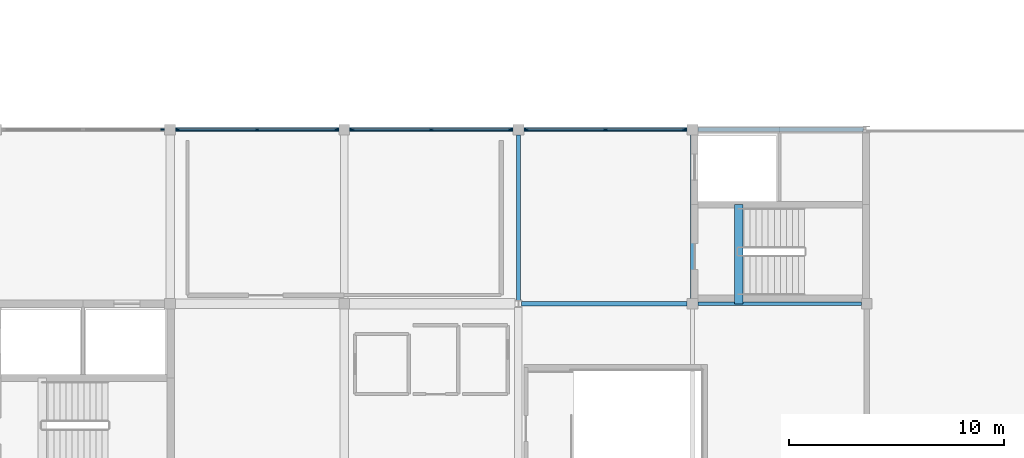
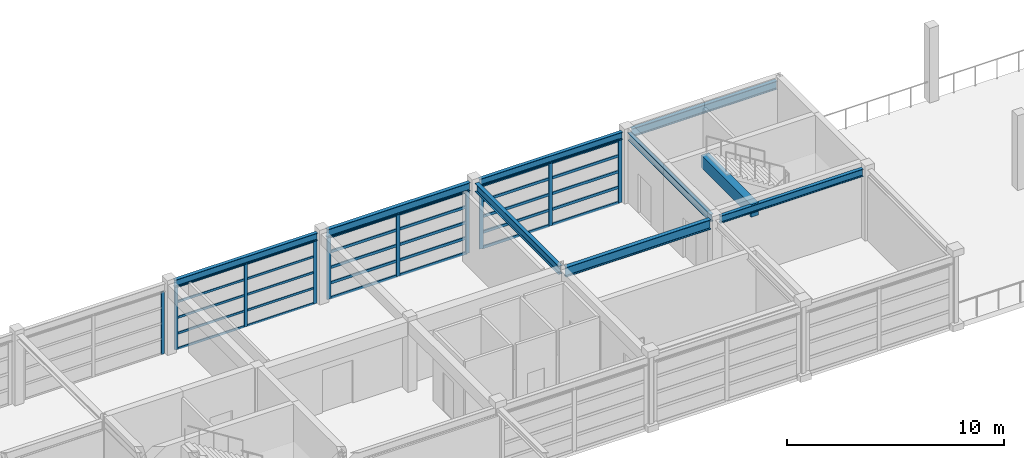
# One storey, part 31 of 54: 40 members, 9 beams, 4 elements without a shape of their own.
"""IFC4 building model written with IfcOpenShell, lengths in metres."""

from ifc_helpers import new_model, si_unit, direction, frame, origin, origin_2d, place, context, subcontext, project, spatial, rectangle, i_section, extrude, material, material_profile, profile_set, type_object, element, aggregate, save


model = new_model("IFC4")

# Units and contexts
model_context = context("Model", 3, precision=1e-05, world=origin(), true_north=direction((0.0, 1.0)))
body_context = subcontext(model_context, "Body", "Model", "MODEL_VIEW")
ifc_project = project(units=[si_unit("LENGTHUNIT", "METRE"), si_unit("AREAUNIT", "SQUARE_METRE"), si_unit("VOLUMEUNIT", "CUBIC_METRE"), si_unit("PLANEANGLEUNIT", "RADIAN"), si_unit("MASSUNIT", "GRAM", prefix="KILO")], contexts=[model_context])

# Site, building, storey
site_placement = place(None, origin())
site = spatial("IfcSite", under=ifc_project, at=site_placement, CompositionType="ELEMENT")
building_placement = place(site_placement, origin())
building = spatial("IfcBuilding", under=site, at=building_placement, Name="Parian Resonance Hall", CompositionType="ELEMENT")
storey_placement = place(building_placement, frame((0.0, 0.0, 15.0)))
storey = spatial("IfcBuildingStorey", under=building, at=storey_placement, Name="L03", CompositionType="ELEMENT", Elevation=15.0)

# Beams
ifc_material_1 = material(Name="Concrete C40/50", Category="concrete")
ifc_material_profile_1 = material_profile(ifc_material_1, rectangle(XDim=0.39990234375, YDim=0.699951171875, at=origin_2d()), Name="RC-BM-400x700")
ifc_profile_set_1 = profile_set([ifc_material_profile_1], Name="Concrete C40/50")
beam_type_1 = type_object("IfcBeamType", Name="BM-RC400x700", PredefinedType="BEAM", material=ifc_profile_set_1)
beam_1_placement = place(storey_placement, frame((91.239990234375, 81.0, 3.610107421875), z_axis=(0.0, 1.0, 0.0), x_axis=(-1.0, 0.0, 0.0)))
element("IfcBeam", 1, at=beam_1_placement, inside=storey, type_object=beam_type_1, Name="Core K5 stair arrival trimmer beam L03", PredefinedType="BEAM", context=body_context, shape_type="SweptSolid", body=[
    extrude(rectangle(XDim=0.39990234375, YDim=0.699951171875, at=origin_2d()), origin(), (0.0, 0.0, 1.0), 4.610107421875),
])
ifc_material_2 = material(Name="Steel S355", Category="steel")
ifc_material_profile_2 = material_profile(ifc_material_2, i_section(OverallWidth=0.180908203125, OverallDepth=0.4169921875, WebThickness=0.010986328125, FlangeThickness=0.018310546875, FilletRadius=0.01513671875, at=origin_2d()), Name="W410x85")
ifc_profile_set_2 = profile_set([ifc_material_profile_2], Name="Steel S355")
beam_type_2 = type_object("IfcBeamType", Name="BM-W410x85", PredefinedType="SPANDREL", material=ifc_profile_set_2)
beam_2_placement = place(storey_placement, frame((65.050048828125, 89.10009765625, 3.75146484375), z_axis=(1.0, 0.0, 0.0), x_axis=(0.0, 1.0, 0.0)))
element("IfcBeam", 2, at=beam_2_placement, inside=storey, type_object=beam_type_2, Name="GX-L03-0830", PredefinedType="SPANDREL", context=body_context, shape_type="SweptSolid", body=[
    extrude(i_section(OverallWidth=0.180908203125, OverallDepth=0.4169921875, WebThickness=0.010986328125, FlangeThickness=0.018310546875, FilletRadius=0.01513671875, at=origin_2d()), origin(), (0.0, 0.0, 1.0), 7.599853515625),
])
beam_3_placement = place(storey_placement, frame((81.25, 89.10009765625, 3.75146484375), z_axis=(1.0, 0.0, 0.0), x_axis=(0.0, 1.0, 0.0)))
element("IfcBeam", 3, at=beam_3_placement, inside=storey, type_object=beam_type_2, Name="GX-L03-0836", PredefinedType="SPANDREL", context=body_context, shape_type="SweptSolid", body=[
    extrude(i_section(OverallWidth=0.180908203125, OverallDepth=0.4169921875, WebThickness=0.010986328125, FlangeThickness=0.018310546875, FilletRadius=0.01513671875, at=origin_2d()), origin(), (0.0, 0.0, 1.0), 7.60009765625),
])
beam_4_placement = place(storey_placement, frame((89.35009765625, 81.0, 3.75146484375), z_axis=(1.0, 0.0, 0.0), x_axis=(0.0, 1.0, 0.0)))
element("IfcBeam", 4, at=beam_4_placement, inside=storey, type_object=beam_type_2, Name="GX-L03-0838", PredefinedType="SPANDREL", context=body_context, shape_type="SweptSolid", body=[
    extrude(i_section(OverallWidth=0.180908203125, OverallDepth=0.4169921875, WebThickness=0.010986328125, FlangeThickness=0.018310546875, FilletRadius=0.01513671875, at=origin_2d()), origin(), (0.0, 0.0, 1.0), 7.599853515625),
])
beam_5_placement = place(storey_placement, frame((89.10009765625, 81.25, 3.75146484375), z_axis=(0.0, 1.0, 0.0), x_axis=(-1.0, 0.0, 0.0)))
element("IfcBeam", 5, at=beam_5_placement, inside=storey, type_object=beam_type_2, Name="GY-L03-0888", PredefinedType="SPANDREL", context=body_context, shape_type="SweptSolid", body=[
    extrude(i_section(OverallWidth=0.180908203125, OverallDepth=0.4169921875, WebThickness=0.010986328125, FlangeThickness=0.018310546875, FilletRadius=0.01513671875, at=origin_2d()), origin(), (0.0, 0.0, 1.0), 7.60009765625),
])
ifc_material_3 = material(Name="Steel S355", Category="steel")
ifc_material_profile_3 = material_profile(ifc_material_3, i_section(OverallWidth=0.194091796875, OverallDepth=0.468994140625, WebThickness=0.0126953125, FlangeThickness=0.0205078125, FilletRadius=0.01513671875, at=origin_2d()), Name="W460x106")
ifc_profile_set_3 = profile_set([ifc_material_profile_3], Name="Steel S355")
beam_type_3 = type_object("IfcBeamType", Name="BM-W460x106", PredefinedType="SPANDREL", material=ifc_profile_set_3)
beam_6_placement = place(storey_placement, frame((73.14990234375, 89.10009765625, 3.7255859375), z_axis=(1.0, 0.0, 0.0), x_axis=(0.0, 1.0, 0.0)))
element("IfcBeam", 6, at=beam_6_placement, inside=storey, type_object=beam_type_3, Name="GX-L03-0833", PredefinedType="SPANDREL", context=body_context, shape_type="SweptSolid", body=[
    extrude(i_section(OverallWidth=0.194091796875, OverallDepth=0.468994140625, WebThickness=0.0126953125, FlangeThickness=0.0205078125, FilletRadius=0.01513671875, at=origin_2d()), origin(), (0.0, 0.0, 1.0), 7.60009765625),
])
beam_7_placement = place(storey_placement, frame((89.35009765625, 89.10009765625, 3.7255859375), z_axis=(1.0, 0.0, 0.0), x_axis=(0.0, 1.0, 0.0)))
element("IfcBeam", 7, at=beam_7_placement, inside=storey, type_object=beam_type_3, Name="GX-L03-0839", PredefinedType="SPANDREL", context=body_context, shape_type="SweptSolid", body=[
    extrude(i_section(OverallWidth=0.194091796875, OverallDepth=0.468994140625, WebThickness=0.0126953125, FlangeThickness=0.0205078125, FilletRadius=0.01513671875, at=origin_2d()), origin(), (0.0, 0.0, 1.0), 7.697509765625),
])
beam_8_placement = place(storey_placement, frame((81.0, 81.154052734375, 3.7255859375), z_axis=(0.0, 1.0, 0.0), x_axis=(-1.0, 0.0, 0.0)))
element("IfcBeam", 8, at=beam_8_placement, inside=storey, type_object=beam_type_3, Name="GY-L03-0886", PredefinedType="SPANDREL", context=body_context, shape_type="SweptSolid", body=[
    extrude(i_section(OverallWidth=0.194091796875, OverallDepth=0.468994140625, WebThickness=0.0126953125, FlangeThickness=0.0205078125, FilletRadius=0.01513671875, at=origin_2d()), origin(), (0.0, 0.0, 1.0), 7.696044921875),
])
ifc_material_4 = material(Name="Steel S355", Category="steel")
ifc_material_profile_4 = material_profile(ifc_material_4, i_section(OverallWidth=0.2119140625, OverallDepth=0.5439453125, WebThickness=0.01318359375, FlangeThickness=0.021240234375, FilletRadius=0.017822265625, at=origin_2d()), Name="W530x123")
ifc_profile_set_4 = profile_set([ifc_material_profile_4], Name="Steel S355")
beam_type_4 = type_object("IfcBeamType", Name="BM-W530x123", PredefinedType="USERDEFINED", material=ifc_profile_set_4)
beam_9_placement = place(storey_placement, frame((81.152587890625, 81.0, 3.68798828125), z_axis=(1.0, 0.0, 0.0), x_axis=(0.0, 1.0, 0.0)))
element("IfcBeam", 9, at=beam_9_placement, inside=storey, type_object=beam_type_4, Name="GX-L03-0835", ObjectType="GIRDER", PredefinedType="USERDEFINED", context=body_context, shape_type="SweptSolid", body=[
    extrude(i_section(OverallWidth=0.2119140625, OverallDepth=0.5439453125, WebThickness=0.01318359375, FlangeThickness=0.021240234375, FilletRadius=0.017822265625, at=origin_2d()), origin(), (0.0, 0.0, 1.0), 7.697509765625),
])

# Curtain wall, member
ifc_material_5 = material(Name="Bronze-anodised aluminium frame", Category="aluminium")
curtain_wall_type_1 = type_object("IfcCurtainWallType", Name="CW-SYS-04", PredefinedType="NOTDEFINED", material=ifc_material_5)
curtain_wall_1_placement = place(storey_placement, origin())
curtain_wall_1 = element("IfcCurtainWall", 10, at=curtain_wall_1_placement, inside=storey, type_object=curtain_wall_type_1, Name="Curtain wall CW-L03-089", PredefinedType="NOTDEFINED")
ifc_material_6 = material(Name="Bronze-anodised aluminium frame", Category="aluminium")
ifc_material_profile_5 = material_profile(ifc_material_6, rectangle(XDim=0.06494140625, YDim=0.159912109375, at=origin_2d()), Name="CWM-65x160")
ifc_profile_set_5 = profile_set([ifc_material_profile_5], Name="Bronze-anodised aluminium frame")
member_type_1 = type_object("IfcMemberType", Name="CWM-65x160", PredefinedType="MULLION", material=ifc_profile_set_5)
member_1_placement = place(storey_placement, frame((64.4375, 89.10009765625, -0.008056640625), z_axis=(0.0, 0.0, 1.0), x_axis=(0.0, 1.0, 0.0)))
member_1 = element("IfcMember", 11, at=member_1_placement, type_object=member_type_1, Name="CW-04 mullion 3", PredefinedType="MULLION", context=body_context, shape_type="SweptSolid", body=[
    extrude(rectangle(XDim=0.06494140625, YDim=0.159912109375, at=origin_2d()), origin(), (0.0, 0.0, 1.0), 3.503173828125),
])
aggregate(curtain_wall_1, [member_1])

# Curtain wall, members
ifc_material_7 = material(Name="Bronze-anodised aluminium frame", Category="aluminium")
curtain_wall_type_2 = type_object("IfcCurtainWallType", Name="CW-SYS-05", PredefinedType="NOTDEFINED", material=ifc_material_7)
curtain_wall_2_placement = place(storey_placement, origin())
curtain_wall_2 = element("IfcCurtainWall", 12, at=curtain_wall_2_placement, inside=storey, type_object=curtain_wall_type_2, Name="Curtain wall CW-L03-093", PredefinedType="NOTDEFINED")
member_2_placement = place(storey_placement, frame((65.16259765625, 89.10009765625, -0.008056640625), z_axis=(0.0, 0.0, 1.0), x_axis=(0.0, 1.0, 0.0)))
member_2 = element("IfcMember", 13, at=member_2_placement, type_object=member_type_1, Name="CW-05 mullion 1", PredefinedType="MULLION", context=body_context, shape_type="SweptSolid", body=[
    extrude(rectangle(XDim=0.06494140625, YDim=0.159912109375, at=origin_2d()), origin(), (0.0, 0.0, 1.0), 3.55517578125),
])
member_3_placement = place(storey_placement, frame((68.85009765625, 89.10009765625, -0.008056640625), z_axis=(0.0, 0.0, 1.0), x_axis=(0.0, 1.0, 0.0)))
member_3 = element("IfcMember", 14, at=member_3_placement, type_object=member_type_1, Name="CW-05 mullion 2", PredefinedType="MULLION", context=body_context, shape_type="SweptSolid", body=[
    extrude(rectangle(XDim=0.06494140625, YDim=0.159912109375, at=origin_2d()), origin(), (0.0, 0.0, 1.0), 3.55517578125),
])
member_4_placement = place(storey_placement, frame((72.53759765625, 89.10009765625, -0.008056640625), z_axis=(0.0, 0.0, 1.0), x_axis=(0.0, 1.0, 0.0)))
member_4 = element("IfcMember", 15, at=member_4_placement, type_object=member_type_1, Name="CW-05 mullion 3", PredefinedType="MULLION", context=body_context, shape_type="SweptSolid", body=[
    extrude(rectangle(XDim=0.06494140625, YDim=0.159912109375, at=origin_2d()), origin(), (0.0, 0.0, 1.0), 3.55517578125),
])

ifc_material_8 = material(Name="Bronze-anodised aluminium frame", Category="aluminium")
curtain_wall_type_3 = type_object("IfcCurtainWallType", Name="CW-SYS-06", PredefinedType="NOTDEFINED", material=ifc_material_8)
curtain_wall_3_placement = place(storey_placement, origin())
curtain_wall_3 = element("IfcCurtainWall", 16, at=curtain_wall_3_placement, inside=storey, type_object=curtain_wall_type_3, Name="Curtain wall CW-L03-096", PredefinedType="NOTDEFINED")
ifc_material_9 = material(Name="Bronze-anodised aluminium frame", Category="aluminium")
ifc_material_profile_6 = material_profile(ifc_material_9, rectangle(XDim=0.074951171875, YDim=0.199951171875, at=origin_2d()), Name="CWM-75x200")
ifc_profile_set_6 = profile_set([ifc_material_profile_6], Name="Bronze-anodised aluminium frame")
member_type_2 = type_object("IfcMemberType", Name="CWM-75x200", PredefinedType="MULLION", material=ifc_profile_set_6)
member_5_placement = place(storey_placement, frame((73.267578125, 89.10009765625, -0.008056640625), z_axis=(0.0, 0.0, 1.0), x_axis=(0.0, 1.0, 0.0)))
member_5 = element("IfcMember", 17, at=member_5_placement, type_object=member_type_2, Name="CW-06 mullion 1", PredefinedType="MULLION", context=body_context, shape_type="SweptSolid", body=[
    extrude(rectangle(XDim=0.074951171875, YDim=0.199951171875, at=origin_2d()), origin(), (0.0, 0.0, 1.0), 3.503173828125),
])
member_6_placement = place(storey_placement, frame((76.949951171875, 89.10009765625, -0.008056640625), z_axis=(0.0, 0.0, 1.0), x_axis=(0.0, 1.0, 0.0)))
member_6 = element("IfcMember", 18, at=member_6_placement, type_object=member_type_2, Name="CW-06 mullion 2", PredefinedType="MULLION", context=body_context, shape_type="SweptSolid", body=[
    extrude(rectangle(XDim=0.074951171875, YDim=0.199951171875, at=origin_2d()), origin(), (0.0, 0.0, 1.0), 3.503173828125),
])
member_7_placement = place(storey_placement, frame((80.632568359375, 89.10009765625, -0.008056640625), z_axis=(0.0, 0.0, 1.0), x_axis=(0.0, 1.0, 0.0)))
member_7 = element("IfcMember", 19, at=member_7_placement, type_object=member_type_2, Name="CW-06 mullion 3", PredefinedType="MULLION", context=body_context, shape_type="SweptSolid", body=[
    extrude(rectangle(XDim=0.074951171875, YDim=0.199951171875, at=origin_2d()), origin(), (0.0, 0.0, 1.0), 3.503173828125),
])

ifc_material_10 = material(Name="Bronze-anodised aluminium frame", Category="aluminium")
curtain_wall_type_4 = type_object("IfcCurtainWallType", Name="CW-SYS-01", PredefinedType="NOTDEFINED", material=ifc_material_10)
curtain_wall_4_placement = place(storey_placement, origin())
curtain_wall_4 = element("IfcCurtainWall", 20, at=curtain_wall_4_placement, inside=storey, type_object=curtain_wall_type_4, Name="Curtain wall CW-L03-100", PredefinedType="NOTDEFINED")
member_8_placement = place(storey_placement, frame((81.367431640625, 89.10009765625, -0.008056640625), z_axis=(0.0, 0.0, 1.0), x_axis=(0.0, 1.0, 0.0)))
member_8 = element("IfcMember", 21, at=member_8_placement, type_object=member_type_2, Name="CW-01 mullion 1", PredefinedType="MULLION", context=body_context, shape_type="SweptSolid", body=[
    extrude(rectangle(XDim=0.074951171875, YDim=0.199951171875, at=origin_2d()), origin(), (0.0, 0.0, 1.0), 3.55517578125),
])
member_9_placement = place(storey_placement, frame((85.050048828125, 89.10009765625, -0.008056640625), z_axis=(0.0, 0.0, 1.0), x_axis=(0.0, 1.0, 0.0)))
member_9 = element("IfcMember", 22, at=member_9_placement, type_object=member_type_2, Name="CW-01 mullion 2", PredefinedType="MULLION", context=body_context, shape_type="SweptSolid", body=[
    extrude(rectangle(XDim=0.074951171875, YDim=0.199951171875, at=origin_2d()), origin(), (0.0, 0.0, 1.0), 3.55517578125),
])
member_10_placement = place(storey_placement, frame((88.732421875, 89.10009765625, -0.008056640625), z_axis=(0.0, 0.0, 1.0), x_axis=(0.0, 1.0, 0.0)))
member_10 = element("IfcMember", 23, at=member_10_placement, type_object=member_type_2, Name="CW-01 mullion 3", PredefinedType="MULLION", context=body_context, shape_type="SweptSolid", body=[
    extrude(rectangle(XDim=0.074951171875, YDim=0.199951171875, at=origin_2d()), origin(), (0.0, 0.0, 1.0), 3.55517578125),
])

# Member
ifc_material_11 = material(Name="Bronze-anodised aluminium frame", Category="aluminium")
ifc_material_profile_7 = material_profile(ifc_material_11, rectangle(XDim=0.06494140625, YDim=0.1201171875, at=origin_2d()), Name="CWT-65x120")
ifc_profile_set_7 = profile_set([ifc_material_profile_7], Name="Bronze-anodised aluminium frame")
member_type_3 = type_object("IfcMemberType", Name="CWT-65x120", PredefinedType="USERDEFINED", material=ifc_profile_set_7)
member_11_placement = place(storey_placement, frame((65.195068359375, 89.10009765625, 0.0244140625), z_axis=(1.0, 0.0, 0.0), x_axis=(0.0, 1.0, 0.0)))
member_11 = element("IfcMember", 24, at=member_11_placement, type_object=member_type_3, Name="CW-05 transom 1.1", ObjectType="TRANSOM", PredefinedType="USERDEFINED", context=body_context, shape_type="SweptSolid", body=[
    extrude(rectangle(XDim=0.06494140625, YDim=0.1201171875, at=origin_2d()), origin(), (0.0, 0.0, 1.0), 3.622314453125),
])

member_12_placement = place(storey_placement, frame((65.195068359375, 89.10009765625, 0.88427734375), z_axis=(1.0, 0.0, 0.0), x_axis=(0.0, 1.0, 0.0)))
member_12 = element("IfcMember", 25, at=member_12_placement, type_object=member_type_3, Name="CW-05 transom 1.2", ObjectType="TRANSOM", PredefinedType="USERDEFINED", context=body_context, shape_type="SweptSolid", body=[
    extrude(rectangle(XDim=0.06494140625, YDim=0.1201171875, at=origin_2d()), origin(), (0.0, 0.0, 1.0), 3.622314453125),
])

member_13_placement = place(storey_placement, frame((65.195068359375, 89.10009765625, 1.7685546875), z_axis=(1.0, 0.0, 0.0), x_axis=(0.0, 1.0, 0.0)))
member_13 = element("IfcMember", 26, at=member_13_placement, type_object=member_type_3, Name="CW-05 transom 1.3", ObjectType="TRANSOM", PredefinedType="USERDEFINED", context=body_context, shape_type="SweptSolid", body=[
    extrude(rectangle(XDim=0.06494140625, YDim=0.1201171875, at=origin_2d()), origin(), (0.0, 0.0, 1.0), 3.622314453125),
])

member_14_placement = place(storey_placement, frame((65.195068359375, 89.10009765625, 2.652587890625), z_axis=(1.0, 0.0, 0.0), x_axis=(0.0, 1.0, 0.0)))
member_14 = element("IfcMember", 27, at=member_14_placement, type_object=member_type_3, Name="CW-05 transom 1.4", ObjectType="TRANSOM", PredefinedType="USERDEFINED", context=body_context, shape_type="SweptSolid", body=[
    extrude(rectangle(XDim=0.06494140625, YDim=0.1201171875, at=origin_2d()), origin(), (0.0, 0.0, 1.0), 3.622314453125),
])

member_15_placement = place(storey_placement, frame((65.195068359375, 89.10009765625, 3.514404296875), z_axis=(1.0, 0.0, 0.0), x_axis=(0.0, 1.0, 0.0)))
member_15 = element("IfcMember", 28, at=member_15_placement, type_object=member_type_3, Name="CW-05 transom 1.5", ObjectType="TRANSOM", PredefinedType="USERDEFINED", context=body_context, shape_type="SweptSolid", body=[
    extrude(rectangle(XDim=0.06494140625, YDim=0.1201171875, at=origin_2d()), origin(), (0.0, 0.0, 1.0), 3.622314453125),
])

member_16_placement = place(storey_placement, frame((68.882568359375, 89.10009765625, 0.0244140625), z_axis=(1.0, 0.0, 0.0), x_axis=(0.0, 1.0, 0.0)))
member_16 = element("IfcMember", 29, at=member_16_placement, type_object=member_type_3, Name="CW-05 transom 2.1", ObjectType="TRANSOM", PredefinedType="USERDEFINED", context=body_context, shape_type="SweptSolid", body=[
    extrude(rectangle(XDim=0.06494140625, YDim=0.1201171875, at=origin_2d()), origin(), (0.0, 0.0, 1.0), 3.622314453125),
])

member_17_placement = place(storey_placement, frame((68.882568359375, 89.10009765625, 0.88427734375), z_axis=(1.0, 0.0, 0.0), x_axis=(0.0, 1.0, 0.0)))
member_17 = element("IfcMember", 30, at=member_17_placement, type_object=member_type_3, Name="CW-05 transom 2.2", ObjectType="TRANSOM", PredefinedType="USERDEFINED", context=body_context, shape_type="SweptSolid", body=[
    extrude(rectangle(XDim=0.06494140625, YDim=0.1201171875, at=origin_2d()), origin(), (0.0, 0.0, 1.0), 3.622314453125),
])

member_18_placement = place(storey_placement, frame((68.882568359375, 89.10009765625, 1.7685546875), z_axis=(1.0, 0.0, 0.0), x_axis=(0.0, 1.0, 0.0)))
member_18 = element("IfcMember", 31, at=member_18_placement, type_object=member_type_3, Name="CW-05 transom 2.3", ObjectType="TRANSOM", PredefinedType="USERDEFINED", context=body_context, shape_type="SweptSolid", body=[
    extrude(rectangle(XDim=0.06494140625, YDim=0.1201171875, at=origin_2d()), origin(), (0.0, 0.0, 1.0), 3.622314453125),
])

member_19_placement = place(storey_placement, frame((68.882568359375, 89.10009765625, 2.652587890625), z_axis=(1.0, 0.0, 0.0), x_axis=(0.0, 1.0, 0.0)))
member_19 = element("IfcMember", 32, at=member_19_placement, type_object=member_type_3, Name="CW-05 transom 2.4", ObjectType="TRANSOM", PredefinedType="USERDEFINED", context=body_context, shape_type="SweptSolid", body=[
    extrude(rectangle(XDim=0.06494140625, YDim=0.1201171875, at=origin_2d()), origin(), (0.0, 0.0, 1.0), 3.622314453125),
])

member_20_placement = place(storey_placement, frame((68.882568359375, 89.10009765625, 3.514404296875), z_axis=(1.0, 0.0, 0.0), x_axis=(0.0, 1.0, 0.0)))
member_20 = element("IfcMember", 33, at=member_20_placement, type_object=member_type_3, Name="CW-05 transom 2.5", ObjectType="TRANSOM", PredefinedType="USERDEFINED", context=body_context, shape_type="SweptSolid", body=[
    extrude(rectangle(XDim=0.06494140625, YDim=0.1201171875, at=origin_2d()), origin(), (0.0, 0.0, 1.0), 3.622314453125),
])

aggregate(curtain_wall_2, [member_2, member_3, member_4, member_11, member_12, member_13, member_14, member_15, member_16, member_17, member_18, member_19, member_20])

ifc_material_12 = material(Name="Bronze-anodised aluminium frame", Category="aluminium")
ifc_material_profile_8 = material_profile(ifc_material_12, rectangle(XDim=0.074951171875, YDim=0.14990234375, at=origin_2d()), Name="CWT-75x150")
ifc_profile_set_8 = profile_set([ifc_material_profile_8], Name="Bronze-anodised aluminium frame")
member_type_4 = type_object("IfcMemberType", Name="CWT-75x150", PredefinedType="USERDEFINED", material=ifc_profile_set_8)
member_21_placement = place(storey_placement, frame((73.304931640625, 89.10009765625, 0.029541015625), z_axis=(1.0, 0.0, 0.0), x_axis=(0.0, 1.0, 0.0)))
member_21 = element("IfcMember", 34, at=member_21_placement, type_object=member_type_4, Name="CW-06 transom 1.1", ObjectType="TRANSOM", PredefinedType="USERDEFINED", context=body_context, shape_type="SweptSolid", body=[
    extrude(rectangle(XDim=0.074951171875, YDim=0.14990234375, at=origin_2d()), origin(), (0.0, 0.0, 1.0), 3.607666015625),
])

member_22_placement = place(storey_placement, frame((73.304931640625, 89.10009765625, 0.87109375), z_axis=(1.0, 0.0, 0.0), x_axis=(0.0, 1.0, 0.0)))
member_22 = element("IfcMember", 35, at=member_22_placement, type_object=member_type_4, Name="CW-06 transom 1.2", ObjectType="TRANSOM", PredefinedType="USERDEFINED", context=body_context, shape_type="SweptSolid", body=[
    extrude(rectangle(XDim=0.074951171875, YDim=0.14990234375, at=origin_2d()), origin(), (0.0, 0.0, 1.0), 3.607666015625),
])

member_23_placement = place(storey_placement, frame((73.304931640625, 89.10009765625, 1.742431640625), z_axis=(1.0, 0.0, 0.0), x_axis=(0.0, 1.0, 0.0)))
member_23 = element("IfcMember", 36, at=member_23_placement, type_object=member_type_4, Name="CW-06 transom 1.3", ObjectType="TRANSOM", PredefinedType="USERDEFINED", context=body_context, shape_type="SweptSolid", body=[
    extrude(rectangle(XDim=0.074951171875, YDim=0.14990234375, at=origin_2d()), origin(), (0.0, 0.0, 1.0), 3.607666015625),
])

member_24_placement = place(storey_placement, frame((73.304931640625, 89.10009765625, 2.61376953125), z_axis=(1.0, 0.0, 0.0), x_axis=(0.0, 1.0, 0.0)))
member_24 = element("IfcMember", 37, at=member_24_placement, type_object=member_type_4, Name="CW-06 transom 1.4", ObjectType="TRANSOM", PredefinedType="USERDEFINED", context=body_context, shape_type="SweptSolid", body=[
    extrude(rectangle(XDim=0.074951171875, YDim=0.14990234375, at=origin_2d()), origin(), (0.0, 0.0, 1.0), 3.607666015625),
])

member_25_placement = place(storey_placement, frame((73.304931640625, 89.10009765625, 3.45751953125), z_axis=(1.0, 0.0, 0.0), x_axis=(0.0, 1.0, 0.0)))
member_25 = element("IfcMember", 38, at=member_25_placement, type_object=member_type_4, Name="CW-06 transom 1.5", ObjectType="TRANSOM", PredefinedType="USERDEFINED", context=body_context, shape_type="SweptSolid", body=[
    extrude(rectangle(XDim=0.074951171875, YDim=0.14990234375, at=origin_2d()), origin(), (0.0, 0.0, 1.0), 3.607666015625),
])

member_26_placement = place(storey_placement, frame((76.987548828125, 89.10009765625, 0.029541015625), z_axis=(1.0, 0.0, 0.0), x_axis=(0.0, 1.0, 0.0)))
member_26 = element("IfcMember", 39, at=member_26_placement, type_object=member_type_4, Name="CW-06 transom 2.1", ObjectType="TRANSOM", PredefinedType="USERDEFINED", context=body_context, shape_type="SweptSolid", body=[
    extrude(rectangle(XDim=0.074951171875, YDim=0.14990234375, at=origin_2d()), origin(), (0.0, 0.0, 1.0), 3.607421875),
])

member_27_placement = place(storey_placement, frame((76.987548828125, 89.10009765625, 0.87109375), z_axis=(1.0, 0.0, 0.0), x_axis=(0.0, 1.0, 0.0)))
member_27 = element("IfcMember", 40, at=member_27_placement, type_object=member_type_4, Name="CW-06 transom 2.2", ObjectType="TRANSOM", PredefinedType="USERDEFINED", context=body_context, shape_type="SweptSolid", body=[
    extrude(rectangle(XDim=0.074951171875, YDim=0.14990234375, at=origin_2d()), origin(), (0.0, 0.0, 1.0), 3.607421875),
])

member_28_placement = place(storey_placement, frame((76.987548828125, 89.10009765625, 1.742431640625), z_axis=(1.0, 0.0, 0.0), x_axis=(0.0, 1.0, 0.0)))
member_28 = element("IfcMember", 41, at=member_28_placement, type_object=member_type_4, Name="CW-06 transom 2.3", ObjectType="TRANSOM", PredefinedType="USERDEFINED", context=body_context, shape_type="SweptSolid", body=[
    extrude(rectangle(XDim=0.074951171875, YDim=0.14990234375, at=origin_2d()), origin(), (0.0, 0.0, 1.0), 3.607421875),
])

member_29_placement = place(storey_placement, frame((76.987548828125, 89.10009765625, 2.61376953125), z_axis=(1.0, 0.0, 0.0), x_axis=(0.0, 1.0, 0.0)))
member_29 = element("IfcMember", 42, at=member_29_placement, type_object=member_type_4, Name="CW-06 transom 2.4", ObjectType="TRANSOM", PredefinedType="USERDEFINED", context=body_context, shape_type="SweptSolid", body=[
    extrude(rectangle(XDim=0.074951171875, YDim=0.14990234375, at=origin_2d()), origin(), (0.0, 0.0, 1.0), 3.607421875),
])

member_30_placement = place(storey_placement, frame((76.987548828125, 89.10009765625, 3.45751953125), z_axis=(1.0, 0.0, 0.0), x_axis=(0.0, 1.0, 0.0)))
member_30 = element("IfcMember", 43, at=member_30_placement, type_object=member_type_4, Name="CW-06 transom 2.5", ObjectType="TRANSOM", PredefinedType="USERDEFINED", context=body_context, shape_type="SweptSolid", body=[
    extrude(rectangle(XDim=0.074951171875, YDim=0.14990234375, at=origin_2d()), origin(), (0.0, 0.0, 1.0), 3.607421875),
])

aggregate(curtain_wall_3, [member_5, member_6, member_7, member_21, member_22, member_23, member_24, member_25, member_26, member_27, member_28, member_29, member_30])

member_31_placement = place(storey_placement, frame((81.405029296875, 89.10009765625, 0.029541015625), z_axis=(1.0, 0.0, 0.0), x_axis=(0.0, 1.0, 0.0)))
member_31 = element("IfcMember", 44, at=member_31_placement, type_object=member_type_4, Name="CW-01 transom 1.1", ObjectType="TRANSOM", PredefinedType="USERDEFINED", context=body_context, shape_type="SweptSolid", body=[
    extrude(rectangle(XDim=0.074951171875, YDim=0.14990234375, at=origin_2d()), origin(), (0.0, 0.0, 1.0), 3.607421875),
])

member_32_placement = place(storey_placement, frame((81.405029296875, 89.10009765625, 0.88427734375), z_axis=(1.0, 0.0, 0.0), x_axis=(0.0, 1.0, 0.0)))
member_32 = element("IfcMember", 45, at=member_32_placement, type_object=member_type_4, Name="CW-01 transom 1.2", ObjectType="TRANSOM", PredefinedType="USERDEFINED", context=body_context, shape_type="SweptSolid", body=[
    extrude(rectangle(XDim=0.074951171875, YDim=0.14990234375, at=origin_2d()), origin(), (0.0, 0.0, 1.0), 3.607421875),
])

member_33_placement = place(storey_placement, frame((81.405029296875, 89.10009765625, 1.7685546875), z_axis=(1.0, 0.0, 0.0), x_axis=(0.0, 1.0, 0.0)))
member_33 = element("IfcMember", 46, at=member_33_placement, type_object=member_type_4, Name="CW-01 transom 1.3", ObjectType="TRANSOM", PredefinedType="USERDEFINED", context=body_context, shape_type="SweptSolid", body=[
    extrude(rectangle(XDim=0.074951171875, YDim=0.14990234375, at=origin_2d()), origin(), (0.0, 0.0, 1.0), 3.607421875),
])

member_34_placement = place(storey_placement, frame((81.405029296875, 89.10009765625, 2.652587890625), z_axis=(1.0, 0.0, 0.0), x_axis=(0.0, 1.0, 0.0)))
member_34 = element("IfcMember", 47, at=member_34_placement, type_object=member_type_4, Name="CW-01 transom 1.4", ObjectType="TRANSOM", PredefinedType="USERDEFINED", context=body_context, shape_type="SweptSolid", body=[
    extrude(rectangle(XDim=0.074951171875, YDim=0.14990234375, at=origin_2d()), origin(), (0.0, 0.0, 1.0), 3.607421875),
])

member_35_placement = place(storey_placement, frame((81.405029296875, 89.10009765625, 3.509521484375), z_axis=(1.0, 0.0, 0.0), x_axis=(0.0, 1.0, 0.0)))
member_35 = element("IfcMember", 48, at=member_35_placement, type_object=member_type_4, Name="CW-01 transom 1.5", ObjectType="TRANSOM", PredefinedType="USERDEFINED", context=body_context, shape_type="SweptSolid", body=[
    extrude(rectangle(XDim=0.074951171875, YDim=0.14990234375, at=origin_2d()), origin(), (0.0, 0.0, 1.0), 3.607421875),
])

member_36_placement = place(storey_placement, frame((85.08740234375, 89.10009765625, 0.029541015625), z_axis=(1.0, 0.0, 0.0), x_axis=(0.0, 1.0, 0.0)))
member_36 = element("IfcMember", 49, at=member_36_placement, type_object=member_type_4, Name="CW-01 transom 2.1", ObjectType="TRANSOM", PredefinedType="USERDEFINED", context=body_context, shape_type="SweptSolid", body=[
    extrude(rectangle(XDim=0.074951171875, YDim=0.14990234375, at=origin_2d()), origin(), (0.0, 0.0, 1.0), 3.607666015625),
])

member_37_placement = place(storey_placement, frame((85.08740234375, 89.10009765625, 0.88427734375), z_axis=(1.0, 0.0, 0.0), x_axis=(0.0, 1.0, 0.0)))
member_37 = element("IfcMember", 50, at=member_37_placement, type_object=member_type_4, Name="CW-01 transom 2.2", ObjectType="TRANSOM", PredefinedType="USERDEFINED", context=body_context, shape_type="SweptSolid", body=[
    extrude(rectangle(XDim=0.074951171875, YDim=0.14990234375, at=origin_2d()), origin(), (0.0, 0.0, 1.0), 3.607666015625),
])

member_38_placement = place(storey_placement, frame((85.08740234375, 89.10009765625, 1.7685546875), z_axis=(1.0, 0.0, 0.0), x_axis=(0.0, 1.0, 0.0)))
member_38 = element("IfcMember", 51, at=member_38_placement, type_object=member_type_4, Name="CW-01 transom 2.3", ObjectType="TRANSOM", PredefinedType="USERDEFINED", context=body_context, shape_type="SweptSolid", body=[
    extrude(rectangle(XDim=0.074951171875, YDim=0.14990234375, at=origin_2d()), origin(), (0.0, 0.0, 1.0), 3.607666015625),
])

member_39_placement = place(storey_placement, frame((85.08740234375, 89.10009765625, 2.652587890625), z_axis=(1.0, 0.0, 0.0), x_axis=(0.0, 1.0, 0.0)))
member_39 = element("IfcMember", 52, at=member_39_placement, type_object=member_type_4, Name="CW-01 transom 2.4", ObjectType="TRANSOM", PredefinedType="USERDEFINED", context=body_context, shape_type="SweptSolid", body=[
    extrude(rectangle(XDim=0.074951171875, YDim=0.14990234375, at=origin_2d()), origin(), (0.0, 0.0, 1.0), 3.607666015625),
])

member_40_placement = place(storey_placement, frame((85.08740234375, 89.10009765625, 3.509521484375), z_axis=(1.0, 0.0, 0.0), x_axis=(0.0, 1.0, 0.0)))
member_40 = element("IfcMember", 53, at=member_40_placement, type_object=member_type_4, Name="CW-01 transom 2.5", ObjectType="TRANSOM", PredefinedType="USERDEFINED", context=body_context, shape_type="SweptSolid", body=[
    extrude(rectangle(XDim=0.074951171875, YDim=0.14990234375, at=origin_2d()), origin(), (0.0, 0.0, 1.0), 3.607666015625),
])

aggregate(curtain_wall_4, [member_8, member_9, member_10, member_31, member_32, member_33, member_34, member_35, member_36, member_37, member_38, member_39, member_40])

save(model, "model.ifc")
